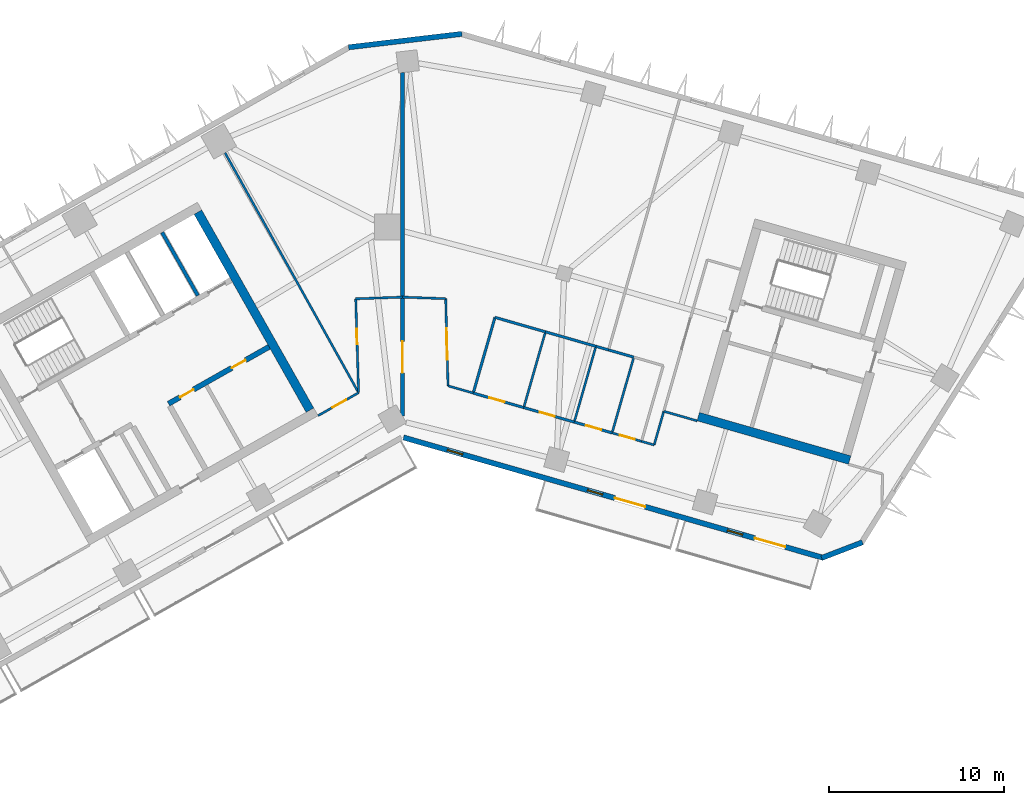
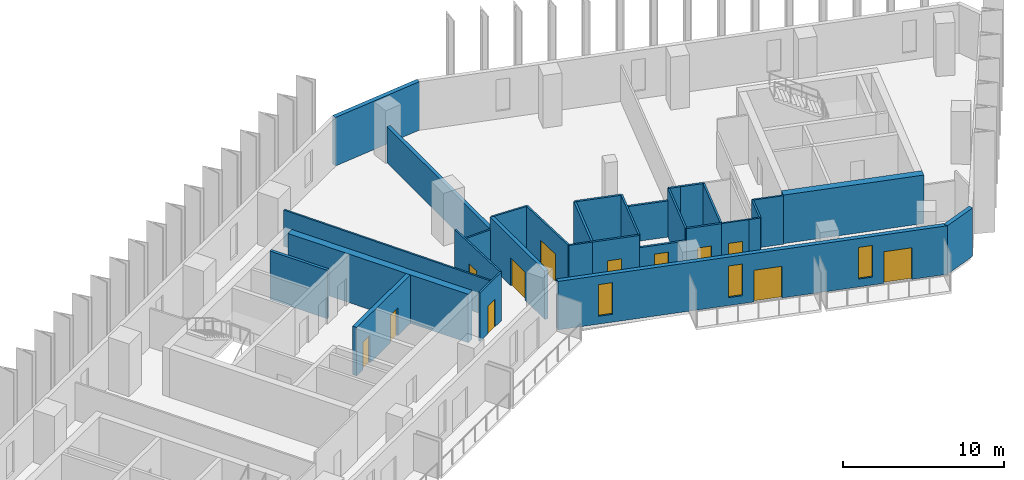
# One storey, part 5 of 10: 31 walls, 12 doors, 3 windows, 15 openings.
"""IFC4 building model written with IfcOpenShell, lengths in metres."""

from ifc_helpers import new_model, si_unit, direction, frame, frame_2d, origin, place, context, subcontext, project, spatial, rectangle, extrude, material, layer, layer_set, type_object, element, fill, save


model = new_model("IFC4")

# Units and contexts
model_context = context("Model", 3, precision=1e-05, world=origin(), true_north=direction((0.0, 1.0)))
body_context = subcontext(model_context, "Body", "Model", "MODEL_VIEW")
ifc_project = project(units=[si_unit("LENGTHUNIT", "METRE"), si_unit("AREAUNIT", "SQUARE_METRE"), si_unit("VOLUMEUNIT", "CUBIC_METRE"), si_unit("PLANEANGLEUNIT", "RADIAN"), si_unit("MASSUNIT", "GRAM", prefix="KILO")], contexts=[model_context])

# Site, building, storey
site_placement = place(None, origin())
site = spatial("IfcSite", under=ifc_project, at=site_placement, CompositionType="ELEMENT")
building_placement = place(site_placement, origin())
building = spatial("IfcBuilding", under=site, at=building_placement, Name="Binnacle Exchange Tower", CompositionType="ELEMENT")
storey_placement = place(building_placement, frame((0.0, 0.0, 162.89990234375)))
storey = spatial("IfcBuildingStorey", under=building, at=storey_placement, Name="L34", CompositionType="ELEMENT", Elevation=162.89990234375)

# Wall, openings, doors
ifc_material_1 = material(Name="Concrete C70/85", Category="concrete")
ifc_layer_1 = layer(ifc_material_1, 0.300048828125)
ifc_layer_set_1 = layer_set([ifc_layer_1], Name="Core wall - front 300")
wall_type_1 = type_object("IfcWallType", Name="Core wall - front 300", PredefinedType="SOLIDWALL", material=ifc_layer_set_1)
wall_1_placement = place(storey_placement, frame((-13.364501953125, 49.910888671875, 0.0), z_axis=(0.0, 0.0, 1.0), x_axis=(0.870356769198, 0.492421663121, 0.0)))
wall_1 = element("IfcWall", 1, at=wall_1_placement, inside=storey, type_object=wall_type_1, Name="Core wall CRWC3", PredefinedType="SOLIDWALL", context=body_context, shape_type="SweptSolid", body=[
    extrude(rectangle(XDim=6.60009765625, YDim=0.300048828125, at=frame_2d((3.300048828125, 0.0))), origin(), (0.0, 0.0, 1.0), 3.68017578125),
])
opening_1_placement = place(wall_1_placement, frame((0.75, 0.0, 0.0)))
opening_1 = element("IfcOpeningElement", 2, at=opening_1_placement, cuts=wall_1, Name="Opening DC18", PredefinedType="OPENING", context=body_context, shape_type="SweptSolid", body=[
    extrude(rectangle(XDim=0.89990234375, YDim=2.10009765625, at=frame_2d((0.449951171875, 1.050048828125))), frame((0.0, 0.159912109375, 0.0), z_axis=(0.0, -1.0, 0.0), x_axis=(1.0, 0.0, 0.0)), (0.0, 0.0, 1.0), 0.320068359375),
])
opening_2_placement = place(wall_1_placement, frame((4.14990234375, 0.0, 0.0)))
opening_2 = element("IfcOpeningElement", 3, at=opening_2_placement, cuts=wall_1, Name="Opening DC19", PredefinedType="OPENING", context=body_context, shape_type="SweptSolid", body=[
    extrude(rectangle(XDim=0.89990234375, YDim=2.10009765625, at=frame_2d((0.449951171875, 1.050048828125))), frame((0.0, 0.159912109375, 0.0), z_axis=(0.0, -1.0, 0.0), x_axis=(1.0, 0.0, 0.0)), (0.0, 0.0, 1.0), 0.320068359375),
])
ifc_material_2 = material(Name="Steel door leaf", Category="steel")
door_type_1 = type_object("IfcDoorType", Name="Fire door 900", OperationType="NOTDEFINED", PredefinedType="DOOR", material=ifc_material_2)
door_1_placement = place(opening_1_placement, frame((0.89990234375, 0.0, 0.0), z_axis=(0.0, 0.0, 1.0), x_axis=(-1.0, 0.0, 0.0)))
door_1 = element("IfcDoor", 4, at=door_1_placement, inside=storey, type_object=door_type_1, Name="Core room door IT STORE", OperationType="SINGLE_SWING_RIGHT", OverallHeight=2.10009765625, OverallWidth=0.89990234375, PredefinedType="DOOR", context=body_context, shape_type="SweptSolid", body=[
    extrude(rectangle(XDim=0.89990234375, YDim=2.10009765625, at=frame_2d((0.449951171875, 1.050048828125))), frame((0.0, 0.02490234375, 0.0), z_axis=(0.0, -1.0, 0.0), x_axis=(1.0, 0.0, 0.0)), (0.0, 0.0, 1.0), 0.050048828125),
])
fill(opening_1, door_1)
door_2_placement = place(opening_2_placement, frame((0.89990234375, 0.0, 0.0), z_axis=(0.0, 0.0, 1.0), x_axis=(-1.0, 0.0, 0.0)))
door_2 = element("IfcDoor", 5, at=door_2_placement, inside=storey, type_object=door_type_1, Name="Core room door TELECOM RISER ROOM", OperationType="SINGLE_SWING_LEFT", OverallHeight=2.10009765625, OverallWidth=0.89990234375, PredefinedType="DOOR", context=body_context, shape_type="SweptSolid", body=[
    extrude(rectangle(XDim=0.89990234375, YDim=2.10009765625, at=frame_2d((0.449951171875, 1.050048828125))), frame((0.0, 0.02490234375, 0.0), z_axis=(0.0, -1.0, 0.0), x_axis=(1.0, 0.0, 0.0)), (0.0, 0.0, 1.0), 0.050048828125),
])
fill(opening_2, door_2)

# Walls
ifc_layer_2 = layer(ifc_material_1, 0.5)
ifc_layer_set_2 = layer_set([ifc_layer_2], Name="Core wall - outer 500")
wall_type_2 = type_object("IfcWallType", Name="Core wall - outer 500", PredefinedType="SOLIDWALL", material=ifc_layer_set_2)
wall_2_placement = place(storey_placement, frame((-11.686767578125, 60.856201171875, 0.0), z_axis=(0.0, 0.0, 1.0), x_axis=(0.492427267353, -0.870353598469, 0.0)))
element("IfcWall", 6, at=wall_2_placement, inside=storey, type_object=wall_type_2, Name="Core wall CRWC24", PredefinedType="SOLIDWALL", context=body_context, shape_type="SweptSolid", body=[
    extrude(rectangle(XDim=13.0, YDim=0.5, at=frame_2d((6.5, 0.0))), origin(), (0.0, 0.0, 1.0), 3.68017578125),
])
wall_3_placement = place(storey_placement, frame((16.896728515625, 49.173095703125, 0.0), z_axis=(0.0, 0.0, 1.0), x_axis=(0.96126248289, -0.275634611374, 0.0)))
element("IfcWall", 7, at=wall_3_placement, inside=storey, type_object=wall_type_2, Name="Core wall CRWD1", PredefinedType="SOLIDWALL", context=body_context, shape_type="SweptSolid", body=[
    extrude(rectangle(XDim=9.0, YDim=0.5, at=frame_2d((4.5, 0.0))), origin(), (0.0, 0.0, 1.0), 3.68017578125),
])

# Wall, openings, doors, windows
ifc_material_3 = material(Name="Bronze aluminium cladding", Category="aluminium")
ifc_layer_3 = layer(ifc_material_3, 0.300048828125)
ifc_layer_set_3 = layer_set([ifc_layer_3], Name="External wall - spandrel 300")
wall_type_3 = type_object("IfcWallType", Name="External wall - spandrel 300", PredefinedType="STANDARD", material=ifc_layer_set_3)
wall_4_placement = place(storey_placement, frame((24.04248046875, 41.10595703125, 0.0), z_axis=(0.0, 0.0, 1.0), x_axis=(-0.961261693976, 0.275637362661, 0.0)))
wall_4 = element("IfcWall", 8, at=wall_4_placement, inside=storey, type_object=wall_type_3, Name="External wall EW-G02 L34", PredefinedType="STANDARD", context=body_context, shape_type="SweptSolid", body=[
    extrude(rectangle(XDim=24.948486328125, YDim=0.300048828125, at=frame_2d((12.47412109375, 0.0))), origin(), (0.0, 0.0, 1.0), 3.68017578125),
])
opening_3_placement = place(wall_4_placement, frame((21.441162109375, 0.0, 0.60009765625)))
opening_3 = element("IfcOpeningElement", 9, at=opening_3_placement, cuts=wall_4, Name="Opening WS3", PredefinedType="OPENING", context=body_context, shape_type="SweptSolid", body=[
    extrude(rectangle(XDim=0.89990234375, YDim=2.39990234375, at=frame_2d((0.449951171875, 1.199951171875))), frame((0.0, 0.159912109375, 0.0), z_axis=(0.0, -1.0, 0.0), x_axis=(1.0, 0.0, 0.0)), (0.0, 0.0, 1.0), 0.320068359375),
])
opening_4_placement = place(wall_4_placement, frame((13.120849609375, 0.0, 0.60009765625)))
opening_4 = element("IfcOpeningElement", 10, at=opening_4_placement, cuts=wall_4, Name="Opening WS3", PredefinedType="OPENING", context=body_context, shape_type="SweptSolid", body=[
    extrude(rectangle(XDim=0.89990234375, YDim=2.39990234375, at=frame_2d((0.449951171875, 1.199951171875))), frame((0.0, 0.159912109375, 0.0), z_axis=(0.0, -1.0, 0.0), x_axis=(1.0, 0.0, 0.0)), (0.0, 0.0, 1.0), 0.320068359375),
])
opening_5_placement = place(wall_4_placement, frame((10.5908203125, 0.0, 0.0)))
opening_5 = element("IfcOpeningElement", 11, at=opening_5_placement, cuts=wall_4, Name="Opening D-FS11-06", PredefinedType="OPENING", context=body_context, shape_type="SweptSolid", body=[
    extrude(rectangle(XDim=1.800048828125, YDim=2.39990234375, at=frame_2d((0.89990234375, 1.199951171875))), frame((0.0, 0.159912109375, 0.0), z_axis=(0.0, -1.0, 0.0), x_axis=(1.0, 0.0, 0.0)), (0.0, 0.0, 1.0), 0.320068359375),
])
opening_6_placement = place(wall_4_placement, frame((4.80029296875, 0.0, 0.60009765625)))
opening_6 = element("IfcOpeningElement", 12, at=opening_6_placement, cuts=wall_4, Name="Opening WS3", PredefinedType="OPENING", context=body_context, shape_type="SweptSolid", body=[
    extrude(rectangle(XDim=0.89990234375, YDim=2.39990234375, at=frame_2d((0.449951171875, 1.199951171875))), frame((0.0, 0.159912109375, 0.0), z_axis=(0.0, -1.0, 0.0), x_axis=(1.0, 0.0, 0.0)), (0.0, 0.0, 1.0), 0.320068359375),
])
opening_7_placement = place(wall_4_placement, frame((2.270263671875, 0.0, 0.0)))
opening_7 = element("IfcOpeningElement", 13, at=opening_7_placement, cuts=wall_4, Name="Opening D-FS11-07", PredefinedType="OPENING", context=body_context, shape_type="SweptSolid", body=[
    extrude(rectangle(XDim=1.800048828125, YDim=2.39990234375, at=frame_2d((0.89990234375, 1.199951171875))), frame((0.0, 0.159912109375, 0.0), z_axis=(0.0, -1.0, 0.0), x_axis=(1.0, 0.0, 0.0)), (0.0, 0.0, 1.0), 0.320068359375),
])
ifc_material_4 = material(Name="Bronze anodised aluminium frame", Category="aluminium")
door_type_2 = type_object("IfcDoorType", Name="DB DOOR 1800x2400", OperationType="DOUBLE_DOOR_SINGLE_SWING", PredefinedType="DOOR", material=ifc_material_4)
door_3_placement = place(opening_5_placement, origin())
door_3 = element("IfcDoor", 14, at=door_3_placement, inside=storey, type_object=door_type_2, Name="Door D-FS11-06 L34", OperationType="DOUBLE_DOOR_SINGLE_SWING", OverallHeight=2.39990234375, OverallWidth=1.800048828125, PredefinedType="DOOR", context=body_context, shape_type="SweptSolid", body=[
    extrude(rectangle(XDim=1.800048828125, YDim=2.39990234375, at=frame_2d((0.89990234375, 1.199951171875))), frame((0.0, 0.02490234375, 0.0), z_axis=(0.0, -1.0, 0.0), x_axis=(1.0, 0.0, 0.0)), (0.0, 0.0, 1.0), 0.050048828125),
])
fill(opening_5, door_3)
door_4_placement = place(opening_7_placement, origin())
door_4 = element("IfcDoor", 15, at=door_4_placement, inside=storey, type_object=door_type_2, Name="Door D-FS11-07 L34", OperationType="DOUBLE_DOOR_SINGLE_SWING", OverallHeight=2.39990234375, OverallWidth=1.800048828125, PredefinedType="DOOR", context=body_context, shape_type="SweptSolid", body=[
    extrude(rectangle(XDim=1.800048828125, YDim=2.39990234375, at=frame_2d((0.89990234375, 1.199951171875))), frame((0.0, 0.02490234375, 0.0), z_axis=(0.0, -1.0, 0.0), x_axis=(1.0, 0.0, 0.0)), (0.0, 0.0, 1.0), 0.050048828125),
])
fill(opening_7, door_4)
window_type = type_object("IfcWindowType", Name="WS3 WINDOW 900x2400", PartitioningType="SINGLE_PANEL", PredefinedType="WINDOW", material=ifc_material_4)
window_1_placement = place(opening_3_placement, origin())
window_1 = element("IfcWindow", 16, at=window_1_placement, inside=storey, type_object=window_type, Name="Window WS3 L34", OverallHeight=2.39990234375, OverallWidth=0.89990234375, PartitioningType="SINGLE_PANEL", PredefinedType="WINDOW", context=body_context, shape_type="SweptSolid", body=[
    extrude(rectangle(XDim=0.89990234375, YDim=2.39990234375, at=frame_2d((0.449951171875, 1.199951171875))), frame((0.0, 0.030029296875, 0.0), z_axis=(0.0, -1.0, 0.0), x_axis=(1.0, 0.0, 0.0)), (0.0, 0.0, 1.0), 0.06005859375),
])
fill(opening_3, window_1)
window_2_placement = place(opening_4_placement, origin())
window_2 = element("IfcWindow", 17, at=window_2_placement, inside=storey, type_object=window_type, Name="Window WS3 L34", OverallHeight=2.39990234375, OverallWidth=0.89990234375, PartitioningType="SINGLE_PANEL", PredefinedType="WINDOW", context=body_context, shape_type="SweptSolid", body=[
    extrude(rectangle(XDim=0.89990234375, YDim=2.39990234375, at=frame_2d((0.449951171875, 1.199951171875))), frame((0.0, 0.030029296875, 0.0), z_axis=(0.0, -1.0, 0.0), x_axis=(1.0, 0.0, 0.0)), (0.0, 0.0, 1.0), 0.06005859375),
])
fill(opening_4, window_2)
window_3_placement = place(opening_6_placement, origin())
window_3 = element("IfcWindow", 18, at=window_3_placement, inside=storey, type_object=window_type, Name="Window WS3 L34", OverallHeight=2.39990234375, OverallWidth=0.89990234375, PartitioningType="SINGLE_PANEL", PredefinedType="WINDOW", context=body_context, shape_type="SweptSolid", body=[
    extrude(rectangle(XDim=0.89990234375, YDim=2.39990234375, at=frame_2d((0.449951171875, 1.199951171875))), frame((0.0, 0.030029296875, 0.0), z_axis=(0.0, -1.0, 0.0), x_axis=(1.0, 0.0, 0.0)), (0.0, 0.0, 1.0), 0.06005859375),
])
fill(opening_6, window_3)

# Walls
wall_5_placement = place(storey_placement, frame((26.27783203125, 41.996337890625, 0.0), z_axis=(0.0, 0.0, 1.0), x_axis=(-0.933592404159, -0.358336745112, 0.0)))
element("IfcWall", 19, at=wall_5_placement, inside=storey, type_object=wall_type_3, Name="External wall EW-G03 L34", PredefinedType="STANDARD", context=body_context, shape_type="SweptSolid", body=[
    extrude(rectangle(XDim=2.496337890625, YDim=0.300048828125, at=frame_2d((1.248046875, 0.0))), origin(), (0.0, 0.0, 1.0), 3.68017578125),
])
wall_6_placement = place(storey_placement, frame((-3.076171875, 70.27294921875, 0.0), z_axis=(0.0, 0.0, 1.0), x_axis=(0.993067743007, 0.117543429416, 0.0)))
element("IfcWall", 20, at=wall_6_placement, inside=storey, type_object=wall_type_3, Name="External wall EW-G07 L34", PredefinedType="STANDARD", context=body_context, shape_type="SweptSolid", body=[
    extrude(rectangle(XDim=6.515625, YDim=0.300048828125, at=frame_2d((3.2578125, 0.0))), origin(), (0.0, 0.0, 1.0), 3.68017578125),
])

# Wall, opening, door
ifc_material_5 = material(Name="Concrete fire wall C30/37", Category="concrete")
ifc_layer_4 = layer(ifc_material_5, 0.25)
ifc_layer_set_4 = layer_set([ifc_layer_4], Name="Fire wall - compartment 250")
wall_type_4 = type_object("IfcWallType", Name="Fire wall - compartment 250", PredefinedType="PARTITIONING", material=ifc_layer_set_4)
wall_7_placement = place(storey_placement, frame((0.0, 49.218994140625, 0.0), z_axis=(0.0, 0.0, 1.0), x_axis=(0.0, 1.0, 0.0)))
wall_7 = element("IfcWall", 21, at=wall_7_placement, inside=storey, type_object=wall_type_4, Name="Fire Wall W12", PredefinedType="PARTITIONING", context=body_context, shape_type="SweptSolid", body=[
    extrude(rectangle(XDim=6.781005859375, YDim=0.25, at=frame_2d((3.390625, 0.0))), origin(), (0.0, 0.0, 1.0), 3.68017578125),
])
opening_8_placement = place(wall_7_placement, frame((2.449951171875, 0.0, 0.0)))
opening_8 = element("IfcOpeningElement", 22, at=opening_8_placement, cuts=wall_7, Name="Opening DL32-12", PredefinedType="OPENING", context=body_context, shape_type="SweptSolid", body=[
    extrude(rectangle(XDim=1.800048828125, YDim=2.10009765625, at=frame_2d((0.89990234375, 1.050048828125))), frame((0.0, 0.135009765625, 0.0), z_axis=(0.0, -1.0, 0.0), x_axis=(1.0, 0.0, 0.0)), (0.0, 0.0, 1.0), 0.27001953125),
])
door_type_3 = type_object("IfcDoorType", Name="Fire door 1800", OperationType="NOTDEFINED", PredefinedType="DOOR", material=ifc_material_2)
door_5_placement = place(opening_8_placement, origin())
door_5 = element("IfcDoor", 23, at=door_5_placement, inside=storey, type_object=door_type_3, Name="Door DL32-12", OperationType="DOUBLE_DOOR_SINGLE_SWING", OverallHeight=2.10009765625, OverallWidth=1.800048828125, PredefinedType="DOOR", context=body_context, shape_type="SweptSolid", body=[
    extrude(rectangle(XDim=1.800048828125, YDim=2.10009765625, at=frame_2d((0.89990234375, 1.050048828125))), frame((0.0, 0.02490234375, 0.0), z_axis=(0.0, -1.0, 0.0), x_axis=(1.0, 0.0, 0.0)), (0.0, 0.0, 1.0), 0.050048828125),
])
fill(opening_8, door_5)

# Walls
wall_8_placement = place(storey_placement, frame((0.0, 56.0, 0.0), z_axis=(0.0, 0.0, 1.0), x_axis=(0.0, 1.0, 0.0)))
element("IfcWall", 24, at=wall_8_placement, inside=storey, type_object=wall_type_4, Name="Fire Wall W13", PredefinedType="PARTITIONING", context=body_context, shape_type="SweptSolid", body=[
    extrude(rectangle(XDim=12.823974609375, YDim=0.25, at=frame_2d((6.412109375, 0.0))), origin(), (0.0, 0.0, 1.0), 2.748046875),
])
ifc_material_6 = material(Name="Gypsum partition fire rated")
ifc_layer_5 = layer(ifc_material_6, 0.14990234375)
ifc_layer_set_5 = layer_set([ifc_layer_5], Name="Fire-rated partition 150")
wall_type_5 = type_object("IfcWallType", Name="Fire-rated partition 150", PredefinedType="PARTITIONING", material=ifc_layer_set_5)
wall_9_placement = place(storey_placement, frame((4.04296875, 50.51806640625, 0.0), z_axis=(0.0, 0.0, 1.0), x_axis=(0.275745553681, 0.96123066411, 0.0)))
element("IfcWall", 25, at=wall_9_placement, inside=storey, type_object=wall_type_5, Name="Partition W17", PredefinedType="PARTITIONING", context=body_context, shape_type="SweptSolid", body=[
    extrude(rectangle(XDim=4.50048828125, YDim=0.14990234375, at=frame_2d((2.250244140625, 0.0))), origin(), (0.0, 0.0, 1.0), 3.68017578125),
])

# Wall, opening, door
wall_10_placement = place(storey_placement, frame((4.04296875, 50.51806640625, 0.0), z_axis=(0.0, 0.0, 1.0), x_axis=(0.961247103494, -0.275688240636, 0.0)))
wall_10 = element("IfcWall", 26, at=wall_10_placement, inside=storey, type_object=wall_type_5, Name="Partition W18", PredefinedType="PARTITIONING", context=body_context, shape_type="SweptSolid", body=[
    extrude(rectangle(XDim=3.000244140625, YDim=0.14990234375, at=frame_2d((1.5, 0.0))), origin(), (0.0, 0.0, 1.0), 3.68017578125),
])
opening_9_placement = place(wall_10_placement, frame((0.949951171875, 0.0, 0.0)))
opening_9 = element("IfcOpeningElement", 27, at=opening_9_placement, cuts=wall_10, Name="Opening DL32-06", PredefinedType="OPENING", context=body_context, shape_type="SweptSolid", body=[
    extrude(rectangle(XDim=0.89990234375, YDim=2.10009765625, at=frame_2d((0.449951171875, 1.050048828125))), frame((0.0, 0.0849609375, 0.0), z_axis=(0.0, -1.0, 0.0), x_axis=(1.0, 0.0, 0.0)), (0.0, 0.0, 1.0), 0.169921875),
])
door_6_placement = place(opening_9_placement, origin())
door_6 = element("IfcDoor", 28, at=door_6_placement, inside=storey, type_object=door_type_1, Name="Door DL32-06", OperationType="SINGLE_SWING_LEFT", OverallHeight=2.10009765625, OverallWidth=0.89990234375, PredefinedType="DOOR", context=body_context, shape_type="SweptSolid", body=[
    extrude(rectangle(XDim=0.89990234375, YDim=2.10009765625, at=frame_2d((0.449951171875, 1.050048828125))), frame((0.0, 0.02490234375, 0.0), z_axis=(0.0, -1.0, 0.0), x_axis=(1.0, 0.0, 0.0)), (0.0, 0.0, 1.0), 0.050048828125),
])
fill(opening_9, door_6)

# Wall
wall_11_placement = place(storey_placement, frame((5.283935546875, 54.843994140625, 0.0), z_axis=(0.0, 0.0, 1.0), x_axis=(0.961243927922, -0.275699312717, 0.0)))
element("IfcWall", 29, at=wall_11_placement, inside=storey, type_object=wall_type_5, Name="Partition W19", PredefinedType="PARTITIONING", context=body_context, shape_type="SweptSolid", body=[
    extrude(rectangle(XDim=2.999267578125, YDim=0.14990234375, at=frame_2d((1.49951171875, 0.0))), origin(), (0.0, 0.0, 1.0), 3.68017578125),
])

# Wall, opening, door
wall_12_placement = place(storey_placement, frame((6.927001953125, 49.69091796875, 0.0), z_axis=(0.0, 0.0, 1.0), x_axis=(0.961268664977, -0.27561305073, 0.0)))
wall_12 = element("IfcWall", 30, at=wall_12_placement, inside=storey, type_object=wall_type_5, Name="Partition W21", PredefinedType="PARTITIONING", context=body_context, shape_type="SweptSolid", body=[
    extrude(rectangle(XDim=3.000244140625, YDim=0.14990234375, at=frame_2d((1.5, 0.0))), origin(), (0.0, 0.0, 1.0), 2.748046875),
])
opening_10_placement = place(wall_12_placement, frame((0.949951171875, 0.0, 0.0)))
opening_10 = element("IfcOpeningElement", 31, at=opening_10_placement, cuts=wall_12, Name="Opening DL32-07", PredefinedType="OPENING", context=body_context, shape_type="SweptSolid", body=[
    extrude(rectangle(XDim=0.89990234375, YDim=2.10009765625, at=frame_2d((0.449951171875, 1.050048828125))), frame((0.0, 0.0849609375, 0.0), z_axis=(0.0, -1.0, 0.0), x_axis=(1.0, 0.0, 0.0)), (0.0, 0.0, 1.0), 0.169921875),
])
door_7_placement = place(opening_10_placement, origin())
door_7 = element("IfcDoor", 32, at=door_7_placement, inside=storey, type_object=door_type_1, Name="Door DL32-07", OperationType="SINGLE_SWING_LEFT", OverallHeight=2.10009765625, OverallWidth=0.89990234375, PredefinedType="DOOR", context=body_context, shape_type="SweptSolid", body=[
    extrude(rectangle(XDim=0.89990234375, YDim=2.10009765625, at=frame_2d((0.449951171875, 1.050048828125))), frame((0.0, 0.02490234375, 0.0), z_axis=(0.0, -1.0, 0.0), x_axis=(1.0, 0.0, 0.0)), (0.0, 0.0, 1.0), 0.050048828125),
])
fill(opening_10, door_7)

# Wall
wall_13_placement = place(storey_placement, frame((8.1669921875, 54.01708984375, 0.0), z_axis=(0.0, 0.0, 1.0), x_axis=(0.961247103494, -0.275688240636, 0.0)))
element("IfcWall", 33, at=wall_13_placement, inside=storey, type_object=wall_type_5, Name="Partition W22", PredefinedType="PARTITIONING", context=body_context, shape_type="SweptSolid", body=[
    extrude(rectangle(XDim=3.000244140625, YDim=0.14990234375, at=frame_2d((1.5, 0.0))), origin(), (0.0, 0.0, 1.0), 2.748046875),
])

# Wall, opening, door
wall_14_placement = place(storey_placement, frame((9.81103515625, 48.864013671875, 0.0), z_axis=(0.0, 0.0, 1.0), x_axis=(0.961236680145, -0.275724581318, 0.0)))
wall_14 = element("IfcWall", 34, at=wall_14_placement, inside=storey, type_object=wall_type_5, Name="Partition W24", PredefinedType="PARTITIONING", context=body_context, shape_type="SweptSolid", body=[
    extrude(rectangle(XDim=2.2490234375, YDim=0.14990234375, at=frame_2d((1.12451171875, 0.0))), origin(), (0.0, 0.0, 1.0), 3.68017578125),
])
opening_11_placement = place(wall_14_placement, frame((0.699951171875, 0.0, 0.0)))
opening_11 = element("IfcOpeningElement", 35, at=opening_11_placement, cuts=wall_14, Name="Opening DL32-08", PredefinedType="OPENING", context=body_context, shape_type="SweptSolid", body=[
    extrude(rectangle(XDim=0.89990234375, YDim=2.10009765625, at=frame_2d((0.449951171875, 1.050048828125))), frame((0.0, 0.0849609375, 0.0), z_axis=(0.0, -1.0, 0.0), x_axis=(1.0, 0.0, 0.0)), (0.0, 0.0, 1.0), 0.169921875),
])
door_8_placement = place(opening_11_placement, origin())
door_8 = element("IfcDoor", 36, at=door_8_placement, inside=storey, type_object=door_type_1, Name="Door DL32-08", OperationType="SINGLE_SWING_RIGHT", OverallHeight=2.10009765625, OverallWidth=0.89990234375, PredefinedType="DOOR", context=body_context, shape_type="SweptSolid", body=[
    extrude(rectangle(XDim=0.89990234375, YDim=2.10009765625, at=frame_2d((0.449951171875, 1.050048828125))), frame((0.0, 0.02490234375, 0.0), z_axis=(0.0, -1.0, 0.0), x_axis=(1.0, 0.0, 0.0)), (0.0, 0.0, 1.0), 0.050048828125),
])
fill(opening_11, door_8)

# Walls
wall_15_placement = place(storey_placement, frame((11.051025390625, 53.18994140625, 0.0), z_axis=(0.0, 0.0, 1.0), x_axis=(0.961154610169, -0.276010534854, 0.0)))
element("IfcWall", 37, at=wall_15_placement, inside=storey, type_object=wall_type_5, Name="Partition W25", PredefinedType="PARTITIONING", context=body_context, shape_type="SweptSolid", body=[
    extrude(rectangle(XDim=0.75, YDim=0.14990234375, at=frame_2d((0.375, 0.0))), origin(), (0.0, 0.0, 1.0), 3.68017578125),
])
wall_16_placement = place(storey_placement, frame((11.77197265625, 52.98291015625, 0.0), z_axis=(0.0, 0.0, 1.0), x_axis=(0.961382563126, -0.275215492508, 0.0)))
element("IfcWall", 38, at=wall_16_placement, inside=storey, type_object=wall_type_5, Name="Partition W26", PredefinedType="PARTITIONING", context=body_context, shape_type="SweptSolid", body=[
    extrude(rectangle(XDim=1.5, YDim=0.14990234375, at=frame_2d((0.75, 0.0))), origin(), (0.0, 0.0, 1.0), 3.68017578125),
])
ifc_material_7 = material(Name="Gypsum partition")
ifc_layer_6 = layer(ifc_material_7, 0.125)
ifc_layer_set_6 = layer_set([ifc_layer_6], Name="Partition 125")
wall_type_6 = type_object("IfcWallType", Name="Partition 125", PredefinedType="PARTITIONING", material=ifc_layer_set_6)
wall_17_placement = place(storey_placement, frame((-10.136962890625, 64.242919921875, 0.0), z_axis=(0.0, 0.0, 1.0), x_axis=(0.486452862603, -0.873706822948, 0.0)))
element("IfcWall", 39, at=wall_17_placement, inside=storey, type_object=wall_type_6, Name="Partition W08", PredefinedType="PARTITIONING", context=body_context, shape_type="SweptSolid", body=[
    extrude(rectangle(XDim=15.684814453125, YDim=0.125, at=frame_2d((7.84228515625, 0.0))), origin(), (0.0, 0.0, 1.0), 2.748046875),
])

# Wall, opening, door
wall_18_placement = place(storey_placement, frame((-4.821044921875, 49.22998046875, 0.0), z_axis=(0.0, 0.0, 1.0), x_axis=(0.870371217631, 0.492396124598, 0.0)))
wall_18 = element("IfcWall", 40, at=wall_18_placement, inside=storey, type_object=wall_type_6, Name="Partition W09", PredefinedType="PARTITIONING", context=body_context, shape_type="SweptSolid", body=[
    extrude(rectangle(XDim=2.65869140625, YDim=0.125, at=frame_2d((1.329345703125, 0.0))), origin(), (0.0, 0.0, 1.0), 3.68017578125),
])
opening_12_placement = place(wall_18_placement, frame((0.949951171875, 0.0, 0.0)))
opening_12 = element("IfcOpeningElement", 41, at=opening_12_placement, cuts=wall_18, Name="Opening DL32-04", PredefinedType="OPENING", context=body_context, shape_type="SweptSolid", body=[
    extrude(rectangle(XDim=0.89990234375, YDim=2.10009765625, at=frame_2d((0.449951171875, 1.050048828125))), frame((0.0, 0.072509765625, 0.0), z_axis=(0.0, -1.0, 0.0), x_axis=(1.0, 0.0, 0.0)), (0.0, 0.0, 1.0), 0.14501953125),
])
ifc_material_8 = material(Name="Timber door leaf", Category="wood")
door_type_4 = type_object("IfcDoorType", Name="Door 900", OperationType="NOTDEFINED", PredefinedType="DOOR", material=ifc_material_8)
door_9_placement = place(opening_12_placement, origin())
door_9 = element("IfcDoor", 42, at=door_9_placement, inside=storey, type_object=door_type_4, Name="Door DL32-04", OperationType="SINGLE_SWING_RIGHT", OverallHeight=2.10009765625, OverallWidth=0.89990234375, PredefinedType="DOOR", context=body_context, shape_type="SweptSolid", body=[
    extrude(rectangle(XDim=0.89990234375, YDim=2.10009765625, at=frame_2d((0.449951171875, 1.050048828125))), frame((0.0, 0.02490234375, 0.0), z_axis=(0.0, -1.0, 0.0), x_axis=(1.0, 0.0, 0.0)), (0.0, 0.0, 1.0), 0.050048828125),
])
fill(opening_12, door_9)

wall_19_placement = place(storey_placement, frame((-2.669921875, 55.904052734375, 0.0), z_axis=(0.0, 0.0, 1.0), x_axis=(0.030338701418, -0.999539675649, 0.0)))
wall_19 = element("IfcWall", 43, at=wall_19_placement, inside=storey, type_object=wall_type_6, Name="Partition W10", PredefinedType="PARTITIONING", context=body_context, shape_type="SweptSolid", body=[
    extrude(rectangle(XDim=5.367431640625, YDim=0.125, at=frame_2d((2.68359375, 0.0))), origin(), (0.0, 0.0, 1.0), 3.68017578125),
])
opening_13_placement = place(wall_19_placement, frame((1.699951171875, 0.0, 0.0)))
opening_13 = element("IfcOpeningElement", 44, at=opening_13_placement, cuts=wall_19, Name="Opening DL32-05", PredefinedType="OPENING", context=body_context, shape_type="SweptSolid", body=[
    extrude(rectangle(XDim=0.89990234375, YDim=2.10009765625, at=frame_2d((0.449951171875, 1.050048828125))), frame((0.0, 0.072509765625, 0.0), z_axis=(0.0, -1.0, 0.0), x_axis=(1.0, 0.0, 0.0)), (0.0, 0.0, 1.0), 0.14501953125),
])
door_10_placement = place(opening_13_placement, frame((0.89990234375, 0.0, 0.0), z_axis=(0.0, 0.0, 1.0), x_axis=(-1.0, 0.0, 0.0)))
door_10 = element("IfcDoor", 45, at=door_10_placement, inside=storey, type_object=door_type_4, Name="Door DL32-05", OperationType="SINGLE_SWING_RIGHT", OverallHeight=2.10009765625, OverallWidth=0.89990234375, PredefinedType="DOOR", context=body_context, shape_type="SweptSolid", body=[
    extrude(rectangle(XDim=0.89990234375, YDim=2.10009765625, at=frame_2d((0.449951171875, 1.050048828125))), frame((0.0, 0.02490234375, 0.0), z_axis=(0.0, -1.0, 0.0), x_axis=(1.0, 0.0, 0.0)), (0.0, 0.0, 1.0), 0.050048828125),
])
fill(opening_13, door_10)

# Walls
wall_20_placement = place(storey_placement, frame((-2.669921875, 55.904052734375, 0.0), z_axis=(0.0, 0.0, 1.0), x_axis=(0.999354913865, 0.03591317494, 0.0)))
element("IfcWall", 46, at=wall_20_placement, inside=storey, type_object=wall_type_6, Name="Partition W11", PredefinedType="PARTITIONING", context=body_context, shape_type="SweptSolid", body=[
    extrude(rectangle(XDim=2.671630859375, YDim=0.125, at=frame_2d((1.3359375, 0.0))), origin(), (0.0, 0.0, 1.0), 2.748046875),
])
wall_21_placement = place(storey_placement, frame((0.0, 56.0, 0.0), z_axis=(0.0, 0.0, 1.0), x_axis=(0.999349313684, -0.036068673934, 0.0)))
element("IfcWall", 47, at=wall_21_placement, inside=storey, type_object=wall_type_6, Name="Partition W14", PredefinedType="PARTITIONING", context=body_context, shape_type="SweptSolid", body=[
    extrude(rectangle(XDim=2.470703125, YDim=0.125, at=frame_2d((1.2353515625, 0.0))), origin(), (0.0, 0.0, 1.0), 3.68017578125),
])

# Wall, opening, door
wall_22_placement = place(storey_placement, frame((2.468994140625, 55.910888671875, 0.0), z_axis=(0.0, 0.0, 1.0), x_axis=(0.02651808123, -0.999648333849, 0.0)))
wall_22 = element("IfcWall", 48, at=wall_22_placement, inside=storey, type_object=wall_type_6, Name="Partition W15", PredefinedType="PARTITIONING", context=body_context, shape_type="SweptSolid", body=[
    extrude(rectangle(XDim=4.980712890625, YDim=0.125, at=frame_2d((2.490234375, 0.0))), origin(), (0.0, 0.0, 1.0), 3.68017578125),
])
opening_14_placement = place(wall_22_placement, frame((1.699951171875, 0.0, 0.0)))
opening_14 = element("IfcOpeningElement", 49, at=opening_14_placement, cuts=wall_22, Name="Opening DL32-10", PredefinedType="OPENING", context=body_context, shape_type="SweptSolid", body=[
    extrude(rectangle(XDim=1.800048828125, YDim=2.10009765625, at=frame_2d((0.89990234375, 1.050048828125))), frame((0.0, 0.072509765625, 0.0), z_axis=(0.0, -1.0, 0.0), x_axis=(1.0, 0.0, 0.0)), (0.0, 0.0, 1.0), 0.14501953125),
])
door_type_5 = type_object("IfcDoorType", Name="Double door 1800", OperationType="NOTDEFINED", PredefinedType="DOOR", material=ifc_material_8)
door_11_placement = place(opening_14_placement, origin())
door_11 = element("IfcDoor", 50, at=door_11_placement, inside=storey, type_object=door_type_5, Name="Door DL32-10", OperationType="DOUBLE_DOOR_SINGLE_SWING", OverallHeight=2.10009765625, OverallWidth=1.800048828125, PredefinedType="DOOR", context=body_context, shape_type="SweptSolid", body=[
    extrude(rectangle(XDim=1.800048828125, YDim=2.10009765625, at=frame_2d((0.89990234375, 1.050048828125))), frame((0.0, 0.02490234375, 0.0), z_axis=(0.0, -1.0, 0.0), x_axis=(1.0, 0.0, 0.0)), (0.0, 0.0, 1.0), 0.050048828125),
])
fill(opening_14, door_11)

# Walls
wall_23_placement = place(storey_placement, frame((2.60107421875, 50.931884765625, 0.0), z_axis=(0.0, 0.0, 1.0), x_axis=(0.961197773994, -0.27586018065, 0.0)))
element("IfcWall", 51, at=wall_23_placement, inside=storey, type_object=wall_type_6, Name="Partition W16", PredefinedType="PARTITIONING", context=body_context, shape_type="SweptSolid", body=[
    extrude(rectangle(XDim=1.5, YDim=0.125, at=frame_2d((0.75, 0.0))), origin(), (0.0, 0.0, 1.0), 3.68017578125),
])
wall_24_placement = place(storey_placement, frame((6.927001953125, 49.69091796875, 0.0), z_axis=(0.0, 0.0, 1.0), x_axis=(0.275530671241, 0.961292280841, 0.0)))
element("IfcWall", 52, at=wall_24_placement, inside=storey, type_object=wall_type_6, Name="Partition W20", PredefinedType="PARTITIONING", context=body_context, shape_type="SweptSolid", body=[
    extrude(rectangle(XDim=4.50048828125, YDim=0.125, at=frame_2d((2.250244140625, 0.0))), origin(), (0.0, 0.0, 1.0), 3.68017578125),
])
wall_25_placement = place(storey_placement, frame((9.81103515625, 48.864013671875, 0.0), z_axis=(0.0, 0.0, 1.0), x_axis=(0.275545040649, 0.96128816209, 0.0)))
element("IfcWall", 53, at=wall_25_placement, inside=storey, type_object=wall_type_6, Name="Partition W23", PredefinedType="PARTITIONING", context=body_context, shape_type="SweptSolid", body=[
    extrude(rectangle(XDim=4.500244140625, YDim=0.125, at=frame_2d((2.25, 0.0))), origin(), (0.0, 0.0, 1.0), 3.68017578125),
])
wall_26_placement = place(storey_placement, frame((11.972900390625, 48.243896484375, 0.0), z_axis=(0.0, 0.0, 1.0), x_axis=(0.275781295989, 0.961220410095, 0.0)))
element("IfcWall", 54, at=wall_26_placement, inside=storey, type_object=wall_type_6, Name="Partition W28", PredefinedType="PARTITIONING", context=body_context, shape_type="SweptSolid", body=[
    extrude(rectangle(XDim=4.500732421875, YDim=0.125, at=frame_2d((2.25048828125, 0.0))), origin(), (0.0, 0.0, 1.0), 3.68017578125),
])

# Wall, opening, door
wall_27_placement = place(storey_placement, frame((11.972900390625, 48.243896484375, 0.0), z_axis=(0.0, 0.0, 1.0), x_axis=(0.96136592135, -0.275273618907, 0.0)))
wall_27 = element("IfcWall", 55, at=wall_27_placement, inside=storey, type_object=wall_type_6, Name="Partition W29", PredefinedType="PARTITIONING", context=body_context, shape_type="SweptSolid", body=[
    extrude(rectangle(XDim=1.750732421875, YDim=0.125, at=frame_2d((0.87548828125, 0.0))), origin(), (0.0, 0.0, 1.0), 3.68017578125),
])
opening_15_placement = place(wall_27_placement, frame((0.449951171875, 0.0, 0.0)))
opening_15 = element("IfcOpeningElement", 56, at=opening_15_placement, cuts=wall_27, Name="Opening DL32-09", PredefinedType="OPENING", context=body_context, shape_type="SweptSolid", body=[
    extrude(rectangle(XDim=0.89990234375, YDim=2.10009765625, at=frame_2d((0.449951171875, 1.050048828125))), frame((0.0, 0.072509765625, 0.0), z_axis=(0.0, -1.0, 0.0), x_axis=(1.0, 0.0, 0.0)), (0.0, 0.0, 1.0), 0.14501953125),
])
door_12_placement = place(opening_15_placement, origin())
door_12 = element("IfcDoor", 57, at=door_12_placement, inside=storey, type_object=door_type_4, Name="Door DL32-09", OperationType="SINGLE_SWING_RIGHT", OverallHeight=2.10009765625, OverallWidth=0.89990234375, PredefinedType="DOOR", context=body_context, shape_type="SweptSolid", body=[
    extrude(rectangle(XDim=0.89990234375, YDim=2.10009765625, at=frame_2d((0.449951171875, 1.050048828125))), frame((0.0, 0.02490234375, 0.0), z_axis=(0.0, -1.0, 0.0), x_axis=(1.0, 0.0, 0.0)), (0.0, 0.0, 1.0), 0.050048828125),
])
fill(opening_15, door_12)

# Walls
wall_28_placement = place(storey_placement, frame((13.656005859375, 47.761962890625, 0.0), z_axis=(0.0, 0.0, 1.0), x_axis=(0.961154610169, -0.276010534854, 0.0)))
element("IfcWall", 58, at=wall_28_placement, inside=storey, type_object=wall_type_6, Name="Partition W31", PredefinedType="PARTITIONING", context=body_context, shape_type="SweptSolid", body=[
    extrude(rectangle(XDim=0.75, YDim=0.125, at=frame_2d((0.375, 0.0))), origin(), (0.0, 0.0, 1.0), 3.68017578125),
])
wall_29_placement = place(storey_placement, frame((14.376953125, 47.554931640625, 0.0), z_axis=(0.0, 0.0, 1.0), x_axis=(0.275446387355, 0.961316434736, 0.0)))
element("IfcWall", 59, at=wall_29_placement, inside=storey, type_object=wall_type_6, Name="Partition W33", PredefinedType="PARTITIONING", context=body_context, shape_type="SweptSolid", body=[
    extrude(rectangle(XDim=2.00048828125, YDim=0.125, at=frame_2d((1.000244140625, 0.0))), origin(), (0.0, 0.0, 1.0), 3.68017578125),
])
wall_30_placement = place(storey_placement, frame((14.927978515625, 49.47802734375, 0.0), z_axis=(0.0, 0.0, 1.0), x_axis=(0.961243778232, -0.27569983462, 0.0)))
element("IfcWall", 60, at=wall_30_placement, inside=storey, type_object=wall_type_6, Name="Partition W34", PredefinedType="PARTITIONING", context=body_context, shape_type="SweptSolid", body=[
    extrude(rectangle(XDim=1.9765625, YDim=0.125, at=frame_2d((0.98828125, 0.0))), origin(), (0.0, 0.0, 1.0), 3.68017578125),
])
ifc_material_9 = material(Name="Masonry block wall", Category="masonry")
ifc_layer_7 = layer(ifc_material_9, 0.199951171875)
ifc_layer_set_7 = layer_set([ifc_layer_7], Name="Shaft wall 200")
wall_type_7 = type_object("IfcWallType", Name="Shaft wall 200", PredefinedType="SOLIDWALL", material=ifc_layer_set_7)
wall_31_placement = place(storey_placement, frame((-13.73193359375, 59.698974609375, 0.0), z_axis=(0.0, 0.0, 1.0), x_axis=(0.492396453737, -0.870371031427, 0.0)))
element("IfcWall", 61, at=wall_31_placement, inside=storey, type_object=wall_type_7, Name="Core wall CRWC21", PredefinedType="SOLIDWALL", context=body_context, shape_type="SweptSolid", body=[
    extrude(rectangle(XDim=4.14990234375, YDim=0.199951171875, at=frame_2d((2.074951171875, 0.0))), origin(), (0.0, 0.0, 1.0), 3.68017578125),
])

save(model, "model.ifc")
